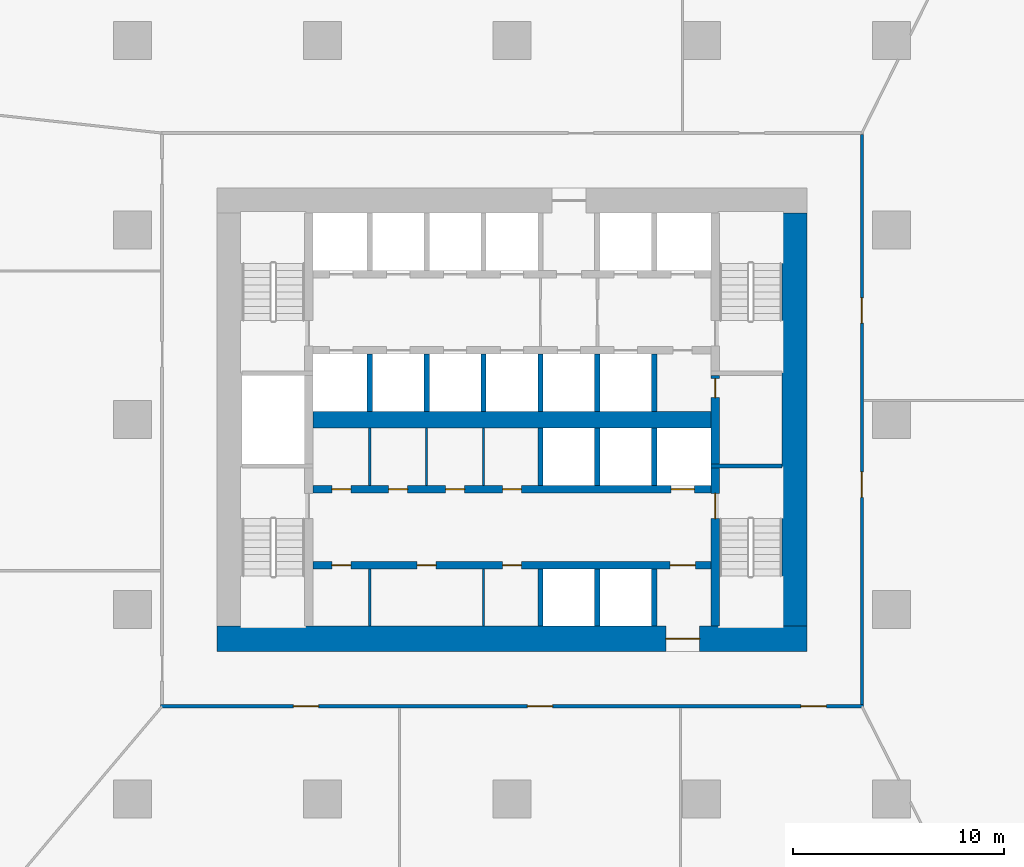
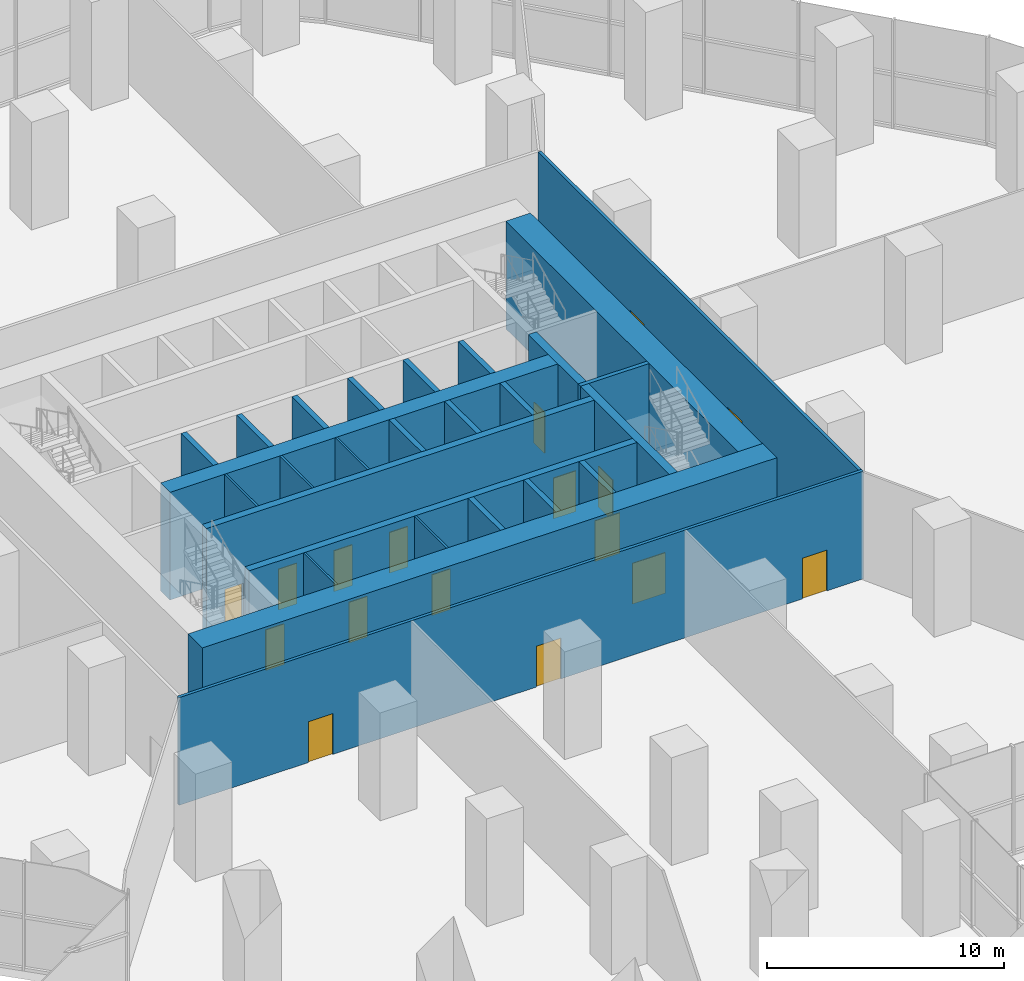
# One storey, part 11 of 15: 27 walls, 17 doors, 17 openings.
"""IFC4 building model written with IfcOpenShell, lengths in metres."""

from ifc_helpers import new_model, si_unit, direction, frame, frame_2d, origin, place, context, subcontext, project, spatial, rectangle, extrude, material, layer, layer_set, type_object, element, fill, save


model = new_model("IFC4")

# Units and contexts
model_context = context("Model", 3, precision=1e-05, world=origin(), true_north=direction((0.0, 1.0)))
body_context = subcontext(model_context, "Body", "Model", "MODEL_VIEW")
ifc_project = project(units=[si_unit("LENGTHUNIT", "METRE"), si_unit("AREAUNIT", "SQUARE_METRE"), si_unit("VOLUMEUNIT", "CUBIC_METRE"), si_unit("PLANEANGLEUNIT", "RADIAN"), si_unit("MASSUNIT", "GRAM", prefix="KILO")], contexts=[model_context])

# Site, building, storey
site_placement = place(None, origin())
site = spatial("IfcSite", under=ifc_project, at=site_placement, CompositionType="ELEMENT")
building_placement = place(site_placement, origin())
building = spatial("IfcBuilding", under=site, at=building_placement, Name="Dongbaek Canopy Tower", CompositionType="ELEMENT")
storey_placement = place(building_placement, frame((0.0, 0.0, 27.0)))
storey = spatial("IfcBuildingStorey", under=building, at=storey_placement, Name="L03", CompositionType="ELEMENT", Elevation=27.0)

# Wall
ifc_material_1 = material(Name="Concrete C60/75", Category="concrete")
ifc_layer_1 = layer(ifc_material_1, 0.800048828125)
ifc_layer_set_1 = layer_set([ifc_layer_1], Name="Core central wall 800 Concrete C60/75")
wall_type_1 = type_object("IfcWallType", Name="Core central wall 800 Concrete C60/75", PredefinedType="SHEAR", material=ifc_layer_set_1)
wall_1_placement = place(storey_placement, frame((-9.449951171875, 0.0, 0.0), z_axis=(0.0, 0.0, 1.0), x_axis=(1.0, 0.0, 0.0)))
element("IfcWall", 1, at=wall_1_placement, inside=storey, type_object=wall_type_1, Name="Core wall", PredefinedType="SHEAR", context=body_context, shape_type="SweptSolid", body=[
    extrude(rectangle(XDim=18.89990234375, YDim=0.800048828125, at=frame_2d((9.449951171875, 0.0))), origin(), (0.0, 0.0, 1.0), 5.550048828125),
])

# Wall, openings, doors
ifc_material_2 = material(Name="Concrete C60/75", Category="concrete")
ifc_layer_2 = layer(ifc_material_2, 0.35009765625)
ifc_layer_set_2 = layer_set([ifc_layer_2], Name="Core lobby wall 350 Concrete C60/75")
wall_type_2 = type_object("IfcWallType", Name="Core lobby wall 350 Concrete C60/75", PredefinedType="SHEAR", material=ifc_layer_set_2)
wall_2_placement = place(storey_placement, frame((-9.449951171875, -3.300048828125, 0.0), z_axis=(0.0, 0.0, 1.0), x_axis=(1.0, 0.0, 0.0)))
wall_2 = element("IfcWall", 2, at=wall_2_placement, inside=storey, type_object=wall_type_2, Name="Core wall", PredefinedType="SHEAR", context=body_context, shape_type="SweptSolid", body=[
    extrude(rectangle(XDim=18.89990234375, YDim=0.35009765625, at=frame_2d((9.449951171875, 0.0))), origin(), (0.0, 0.0, 1.0), 5.550048828125),
])
opening_1_placement = place(wall_2_placement, frame((17.0, 0.0, 0.0)))
opening_1 = element("IfcOpeningElement", 3, at=opening_1_placement, cuts=wall_2, Name="Opening L03-D027", PredefinedType="OPENING", context=body_context, shape_type="SweptSolid", body=[
    extrude(rectangle(XDim=1.10009765625, YDim=2.10009765625, at=frame_2d((0.550048828125, 1.050048828125))), frame((0.0, 0.18505859375, 0.0), z_axis=(0.0, -1.0, 0.0), x_axis=(1.0, 0.0, 0.0)), (0.0, 0.0, 1.0), 0.3701171875),
])
opening_2_placement = place(wall_2_placement, frame((0.89990234375, 0.0, 0.0)))
opening_2 = element("IfcOpeningElement", 4, at=opening_2_placement, cuts=wall_2, Name="Opening L03-D030", PredefinedType="OPENING", context=body_context, shape_type="SweptSolid", body=[
    extrude(rectangle(XDim=0.89990234375, YDim=2.10009765625, at=frame_2d((0.449951171875, 1.050048828125))), frame((0.0, 0.18505859375, 0.0), z_axis=(0.0, -1.0, 0.0), x_axis=(1.0, 0.0, 0.0)), (0.0, 0.0, 1.0), 0.3701171875),
])
opening_3_placement = place(wall_2_placement, frame((3.60009765625, 0.0, 0.0)))
opening_3 = element("IfcOpeningElement", 5, at=opening_3_placement, cuts=wall_2, Name="Opening L03-D031", PredefinedType="OPENING", context=body_context, shape_type="SweptSolid", body=[
    extrude(rectangle(XDim=0.89990234375, YDim=2.10009765625, at=frame_2d((0.449951171875, 1.050048828125))), frame((0.0, 0.18505859375, 0.0), z_axis=(0.0, -1.0, 0.0), x_axis=(1.0, 0.0, 0.0)), (0.0, 0.0, 1.0), 0.3701171875),
])
opening_4_placement = place(wall_2_placement, frame((6.300048828125, 0.0, 0.0)))
opening_4 = element("IfcOpeningElement", 6, at=opening_4_placement, cuts=wall_2, Name="Opening L03-D032", PredefinedType="OPENING", context=body_context, shape_type="SweptSolid", body=[
    extrude(rectangle(XDim=0.89990234375, YDim=2.10009765625, at=frame_2d((0.449951171875, 1.050048828125))), frame((0.0, 0.18505859375, 0.0), z_axis=(0.0, -1.0, 0.0), x_axis=(1.0, 0.0, 0.0)), (0.0, 0.0, 1.0), 0.3701171875),
])
opening_5_placement = place(wall_2_placement, frame((9.0, 0.0, 0.0)))
opening_5 = element("IfcOpeningElement", 7, at=opening_5_placement, cuts=wall_2, Name="Opening L03-D033", PredefinedType="OPENING", context=body_context, shape_type="SweptSolid", body=[
    extrude(rectangle(XDim=0.89990234375, YDim=2.10009765625, at=frame_2d((0.449951171875, 1.050048828125))), frame((0.0, 0.18505859375, 0.0), z_axis=(0.0, -1.0, 0.0), x_axis=(1.0, 0.0, 0.0)), (0.0, 0.0, 1.0), 0.3701171875),
])
ifc_material_3 = material(Name="Steel", Category="steel")
door_type_1 = type_object("IfcDoorType", Name="Core room door 900 x 2100", OperationType="SINGLE_SWING_LEFT", PredefinedType="DOOR", material=ifc_material_3)
door_1_placement = place(opening_2_placement, origin())
door_1 = element("IfcDoor", 8, at=door_1_placement, inside=storey, type_object=door_type_1, Name="Door L03-D030", OperationType="SINGLE_SWING_RIGHT", OverallHeight=2.10009765625, OverallWidth=0.89990234375, PredefinedType="DOOR", context=body_context, shape_type="SweptSolid", body=[
    extrude(rectangle(XDim=0.89990234375, YDim=2.10009765625, at=frame_2d((0.449951171875, 1.050048828125))), frame((0.0, 0.02490234375, 0.0), z_axis=(0.0, -1.0, 0.0), x_axis=(1.0, 0.0, 0.0)), (0.0, 0.0, 1.0), 0.050048828125),
])
fill(opening_2, door_1)
door_2_placement = place(opening_3_placement, origin())
door_2 = element("IfcDoor", 9, at=door_2_placement, inside=storey, type_object=door_type_1, Name="Door L03-D031", OperationType="SINGLE_SWING_LEFT", OverallHeight=2.10009765625, OverallWidth=0.89990234375, PredefinedType="DOOR", context=body_context, shape_type="SweptSolid", body=[
    extrude(rectangle(XDim=0.89990234375, YDim=2.10009765625, at=frame_2d((0.449951171875, 1.050048828125))), frame((0.0, 0.02490234375, 0.0), z_axis=(0.0, -1.0, 0.0), x_axis=(1.0, 0.0, 0.0)), (0.0, 0.0, 1.0), 0.050048828125),
])
fill(opening_3, door_2)
door_3_placement = place(opening_4_placement, origin())
door_3 = element("IfcDoor", 10, at=door_3_placement, inside=storey, type_object=door_type_1, Name="Door L03-D032", OperationType="SINGLE_SWING_RIGHT", OverallHeight=2.10009765625, OverallWidth=0.89990234375, PredefinedType="DOOR", context=body_context, shape_type="SweptSolid", body=[
    extrude(rectangle(XDim=0.89990234375, YDim=2.10009765625, at=frame_2d((0.449951171875, 1.050048828125))), frame((0.0, 0.02490234375, 0.0), z_axis=(0.0, -1.0, 0.0), x_axis=(1.0, 0.0, 0.0)), (0.0, 0.0, 1.0), 0.050048828125),
])
fill(opening_4, door_3)
door_4_placement = place(opening_5_placement, origin())
door_4 = element("IfcDoor", 11, at=door_4_placement, inside=storey, type_object=door_type_1, Name="Door L03-D033", OperationType="SINGLE_SWING_LEFT", OverallHeight=2.10009765625, OverallWidth=0.89990234375, PredefinedType="DOOR", context=body_context, shape_type="SweptSolid", body=[
    extrude(rectangle(XDim=0.89990234375, YDim=2.10009765625, at=frame_2d((0.449951171875, 1.050048828125))), frame((0.0, 0.02490234375, 0.0), z_axis=(0.0, -1.0, 0.0), x_axis=(1.0, 0.0, 0.0)), (0.0, 0.0, 1.0), 0.050048828125),
])
fill(opening_5, door_4)
ifc_material_4 = material(Name="Stainless steel", Category="steel")
door_type_2 = type_object("IfcDoorType", Name="Lift landing door 1100 x 2100", OperationType="DOUBLE_DOOR_SLIDING", PredefinedType="DOOR", material=ifc_material_4)
door_5_placement = place(opening_1_placement, origin())
door_5 = element("IfcDoor", 12, at=door_5_placement, inside=storey, type_object=door_type_2, Name="Landing door SV2", OperationType="DOUBLE_DOOR_SLIDING", OverallHeight=2.10009765625, OverallWidth=1.10009765625, PredefinedType="DOOR", context=body_context, shape_type="SweptSolid", body=[
    extrude(rectangle(XDim=1.10009765625, YDim=2.10009765625, at=frame_2d((0.550048828125, 1.050048828125))), frame((0.0, 0.02490234375, 0.0), z_axis=(0.0, -1.0, 0.0), x_axis=(1.0, 0.0, 0.0)), (0.0, 0.0, 1.0), 0.050048828125),
])
fill(opening_1, door_5)

wall_3_placement = place(storey_placement, frame((9.449951171875, -6.89990234375, 0.0), z_axis=(0.0, 0.0, 1.0), x_axis=(-1.0, 0.0, 0.0)))
wall_3 = element("IfcWall", 13, at=wall_3_placement, inside=storey, type_object=wall_type_2, Name="Core wall", PredefinedType="SHEAR", context=body_context, shape_type="SweptSolid", body=[
    extrude(rectangle(XDim=18.89990234375, YDim=0.35009765625, at=frame_2d((9.449951171875, 0.0))), origin(), (0.0, 0.0, 1.0), 5.550048828125),
])
opening_6_placement = place(wall_3_placement, frame((0.75, 0.0, 0.0)))
opening_6 = element("IfcOpeningElement", 14, at=opening_6_placement, cuts=wall_3, Name="Opening L03-D029", PredefinedType="OPENING", context=body_context, shape_type="SweptSolid", body=[
    extrude(rectangle(XDim=1.199951171875, YDim=2.10009765625, at=frame_2d((0.60009765625, 1.050048828125))), frame((0.0, 0.18505859375, 0.0), z_axis=(0.0, -1.0, 0.0), x_axis=(1.0, 0.0, 0.0)), (0.0, 0.0, 1.0), 0.3701171875),
])
opening_7_placement = place(wall_3_placement, frame((17.10009765625, 0.0, 0.0)))
opening_7 = element("IfcOpeningElement", 15, at=opening_7_placement, cuts=wall_3, Name="Opening L03-D034", PredefinedType="OPENING", context=body_context, shape_type="SweptSolid", body=[
    extrude(rectangle(XDim=0.89990234375, YDim=2.10009765625, at=frame_2d((0.449951171875, 1.050048828125))), frame((0.0, 0.18505859375, 0.0), z_axis=(0.0, -1.0, 0.0), x_axis=(1.0, 0.0, 0.0)), (0.0, 0.0, 1.0), 0.3701171875),
])
opening_8_placement = place(wall_3_placement, frame((13.050048828125, 0.0, 0.0)))
opening_8 = element("IfcOpeningElement", 16, at=opening_8_placement, cuts=wall_3, Name="Opening L03-D035", PredefinedType="OPENING", context=body_context, shape_type="SweptSolid", body=[
    extrude(rectangle(XDim=0.89990234375, YDim=2.10009765625, at=frame_2d((0.449951171875, 1.050048828125))), frame((0.0, 0.18505859375, 0.0), z_axis=(0.0, -1.0, 0.0), x_axis=(1.0, 0.0, 0.0)), (0.0, 0.0, 1.0), 0.3701171875),
])
opening_9_placement = place(wall_3_placement, frame((9.0, 0.0, 0.0)))
opening_9 = element("IfcOpeningElement", 17, at=opening_9_placement, cuts=wall_3, Name="Opening L03-D036", PredefinedType="OPENING", context=body_context, shape_type="SweptSolid", body=[
    extrude(rectangle(XDim=0.89990234375, YDim=2.10009765625, at=frame_2d((0.449951171875, 1.050048828125))), frame((0.0, 0.18505859375, 0.0), z_axis=(0.0, -1.0, 0.0), x_axis=(1.0, 0.0, 0.0)), (0.0, 0.0, 1.0), 0.3701171875),
])
door_6_placement = place(opening_7_placement, origin())
door_6 = element("IfcDoor", 18, at=door_6_placement, inside=storey, type_object=door_type_1, Name="Door L03-D034", OperationType="SINGLE_SWING_RIGHT", OverallHeight=2.10009765625, OverallWidth=0.89990234375, PredefinedType="DOOR", context=body_context, shape_type="SweptSolid", body=[
    extrude(rectangle(XDim=0.89990234375, YDim=2.10009765625, at=frame_2d((0.449951171875, 1.050048828125))), frame((0.0, 0.02490234375, 0.0), z_axis=(0.0, -1.0, 0.0), x_axis=(1.0, 0.0, 0.0)), (0.0, 0.0, 1.0), 0.050048828125),
])
fill(opening_7, door_6)
door_7_placement = place(opening_8_placement, origin())
door_7 = element("IfcDoor", 19, at=door_7_placement, inside=storey, type_object=door_type_1, Name="Door L03-D035", OperationType="SINGLE_SWING_LEFT", OverallHeight=2.10009765625, OverallWidth=0.89990234375, PredefinedType="DOOR", context=body_context, shape_type="SweptSolid", body=[
    extrude(rectangle(XDim=0.89990234375, YDim=2.10009765625, at=frame_2d((0.449951171875, 1.050048828125))), frame((0.0, 0.02490234375, 0.0), z_axis=(0.0, -1.0, 0.0), x_axis=(1.0, 0.0, 0.0)), (0.0, 0.0, 1.0), 0.050048828125),
])
fill(opening_8, door_7)
door_8_placement = place(opening_9_placement, origin())
door_8 = element("IfcDoor", 20, at=door_8_placement, inside=storey, type_object=door_type_1, Name="Door L03-D036", OperationType="SINGLE_SWING_RIGHT", OverallHeight=2.10009765625, OverallWidth=0.89990234375, PredefinedType="DOOR", context=body_context, shape_type="SweptSolid", body=[
    extrude(rectangle(XDim=0.89990234375, YDim=2.10009765625, at=frame_2d((0.449951171875, 1.050048828125))), frame((0.0, 0.02490234375, 0.0), z_axis=(0.0, -1.0, 0.0), x_axis=(1.0, 0.0, 0.0)), (0.0, 0.0, 1.0), 0.050048828125),
])
fill(opening_9, door_8)
ifc_material_5 = material(Name="Steel", Category="steel")
door_type_3 = type_object("IfcDoorType", Name="Fire lobby door 1200 x 2100", OperationType="SINGLE_SWING_LEFT", PredefinedType="DOOR", material=ifc_material_5)
door_9_placement = place(opening_6_placement, origin())
door_9 = element("IfcDoor", 21, at=door_9_placement, inside=storey, type_object=door_type_3, Name="Door L03-D029", OperationType="SINGLE_SWING_LEFT", OverallHeight=2.10009765625, OverallWidth=1.199951171875, PredefinedType="DOOR", context=body_context, shape_type="SweptSolid", body=[
    extrude(rectangle(XDim=1.199951171875, YDim=2.10009765625, at=frame_2d((0.60009765625, 1.050048828125))), frame((0.0, 0.02490234375, 0.0), z_axis=(0.0, -1.0, 0.0), x_axis=(1.0, 0.0, 0.0)), (0.0, 0.0, 1.0), 0.050048828125),
])
fill(opening_6, door_9)

# Wall, opening, door
ifc_material_6 = material(Name="Concrete C60/75", Category="concrete")
ifc_layer_3 = layer(ifc_material_6, 1.199951171875)
ifc_layer_set_3 = layer_set([ifc_layer_3], Name="Core outer wall 1200 Concrete C60/75")
wall_type_3 = type_object("IfcWallType", Name="Core outer wall 1200 Concrete C60/75", PredefinedType="SHEAR", material=ifc_layer_set_3)
wall_4_placement = place(storey_placement, frame((14.0, -10.39990234375, 0.0), z_axis=(0.0, 0.0, 1.0), x_axis=(-1.0, 0.0, 0.0)))
wall_4 = element("IfcWall", 22, at=wall_4_placement, inside=storey, type_object=wall_type_3, Name="Core wall", PredefinedType="SHEAR", context=body_context, shape_type="SweptSolid", body=[
    extrude(rectangle(XDim=28.0, YDim=1.199951171875, at=frame_2d((14.0, 0.0))), origin(), (0.0, 0.0, 1.0), 5.550048828125),
])
opening_10_placement = place(wall_4_placement, frame((5.10009765625, 0.0, 0.0)))
opening_10 = element("IfcOpeningElement", 23, at=opening_10_placement, cuts=wall_4, Name="Opening L03-D028", PredefinedType="OPENING", context=body_context, shape_type="SweptSolid", body=[
    extrude(rectangle(XDim=1.60009765625, YDim=2.10009765625, at=frame_2d((0.800048828125, 1.050048828125))), frame((0.0, 0.60986328125, 0.0), z_axis=(0.0, -1.0, 0.0), x_axis=(1.0, 0.0, 0.0)), (0.0, 0.0, 1.0), 1.219970703125),
])
ifc_material_7 = material(Name="Steel", Category="steel")
door_type_4 = type_object("IfcDoorType", Name="Core exit door 1600 x 2100", OperationType="DOUBLE_DOOR_SINGLE_SWING", PredefinedType="DOOR", material=ifc_material_7)
door_10_placement = place(opening_10_placement, origin())
door_10 = element("IfcDoor", 24, at=door_10_placement, inside=storey, type_object=door_type_4, Name="Core exit door", OperationType="DOUBLE_DOOR_SINGLE_SWING", OverallHeight=2.10009765625, OverallWidth=1.60009765625, PredefinedType="DOOR", context=body_context, shape_type="SweptSolid", body=[
    extrude(rectangle(XDim=1.60009765625, YDim=2.10009765625, at=frame_2d((0.800048828125, 1.050048828125))), frame((0.0, 0.02490234375, 0.0), z_axis=(0.0, -1.0, 0.0), x_axis=(1.0, 0.0, 0.0)), (0.0, 0.0, 1.0), 0.050048828125),
])
fill(opening_10, door_10)

# Wall
wall_5_placement = place(storey_placement, frame((13.39990234375, 9.800048828125, 0.0), z_axis=(0.0, 0.0, 1.0), x_axis=(0.0, -1.0, 0.0)))
element("IfcWall", 25, at=wall_5_placement, inside=storey, type_object=wall_type_3, Name="Core wall", PredefinedType="SHEAR", context=body_context, shape_type="SweptSolid", body=[
    extrude(rectangle(XDim=19.60009765625, YDim=1.199951171875, at=frame_2d((9.800048828125, 0.0))), origin(), (0.0, 0.0, 1.0), 5.550048828125),
])

# Wall, openings, doors
ifc_material_8 = material(Name="Gypsum board partition, steel stud, 2 x 15 mm fire board", Category="steel")
ifc_layer_4 = layer(ifc_material_8, 0.14990234375)
ifc_layer_set_4 = layer_set([ifc_layer_4], Name="Fire-rated partition 150 gypsum board")
wall_type_4 = type_object("IfcWallType", Name="Fire-rated partition 150 gypsum board", PredefinedType="PARTITIONING", material=ifc_layer_set_4)
wall_6_placement = place(storey_placement, frame((16.675048828125, -13.60009765625, 0.0), z_axis=(0.0, 0.0, 1.0), x_axis=(-1.0, 0.0, 0.0)))
wall_6 = element("IfcWall", 26, at=wall_6_placement, inside=storey, type_object=wall_type_4, Name="Corridor partition", PredefinedType="PARTITIONING", context=body_context, shape_type="SweptSolid", body=[
    extrude(rectangle(XDim=33.35009765625, YDim=0.14990234375, at=frame_2d((16.675048828125, 0.0))), origin(), (0.0, 0.0, 1.0), 5.550048828125),
])
opening_11_placement = place(wall_6_placement, frame((25.852783203125, 0.0, 0.0)))
opening_11 = element("IfcOpeningElement", 27, at=opening_11_placement, cuts=wall_6, Name="Opening L03-D003", PredefinedType="OPENING", context=body_context, shape_type="SweptSolid", body=[
    extrude(rectangle(XDim=1.199951171875, YDim=2.10009765625, at=frame_2d((0.60009765625, 1.050048828125))), frame((0.0, 0.0849609375, 0.0), z_axis=(0.0, -1.0, 0.0), x_axis=(1.0, 0.0, 0.0)), (0.0, 0.0, 1.0), 0.169921875),
])
opening_12_placement = place(wall_6_placement, frame((14.74169921875, 0.0, 0.0)))
opening_12 = element("IfcOpeningElement", 28, at=opening_12_placement, cuts=wall_6, Name="Opening L03-D004", PredefinedType="OPENING", context=body_context, shape_type="SweptSolid", body=[
    extrude(rectangle(XDim=1.199951171875, YDim=2.10009765625, at=frame_2d((0.60009765625, 1.050048828125))), frame((0.0, 0.0849609375, 0.0), z_axis=(0.0, -1.0, 0.0), x_axis=(1.0, 0.0, 0.0)), (0.0, 0.0, 1.0), 0.169921875),
])
opening_13_placement = place(wall_6_placement, frame((1.763671875, 0.0, 0.0)))
opening_13 = element("IfcOpeningElement", 29, at=opening_13_placement, cuts=wall_6, Name="Opening L03-D005", PredefinedType="OPENING", context=body_context, shape_type="SweptSolid", body=[
    extrude(rectangle(XDim=1.199951171875, YDim=2.10009765625, at=frame_2d((0.60009765625, 1.050048828125))), frame((0.0, 0.0849609375, 0.0), z_axis=(0.0, -1.0, 0.0), x_axis=(1.0, 0.0, 0.0)), (0.0, 0.0, 1.0), 0.169921875),
])
ifc_material_9 = material(Name="Timber veneered door leaf", Category="wood")
door_type_5 = type_object("IfcDoorType", Name="Room door 1200 x 2100", OperationType="SINGLE_SWING_LEFT", PredefinedType="DOOR", material=ifc_material_9)
door_11_placement = place(opening_11_placement, origin())
door_11 = element("IfcDoor", 30, at=door_11_placement, inside=storey, type_object=door_type_5, Name="Door L03-D003", OperationType="SINGLE_SWING_RIGHT", OverallHeight=2.10009765625, OverallWidth=1.199951171875, PredefinedType="DOOR", context=body_context, shape_type="SweptSolid", body=[
    extrude(rectangle(XDim=1.199951171875, YDim=2.10009765625, at=frame_2d((0.60009765625, 1.050048828125))), frame((0.0, 0.02490234375, 0.0), z_axis=(0.0, -1.0, 0.0), x_axis=(1.0, 0.0, 0.0)), (0.0, 0.0, 1.0), 0.050048828125),
])
fill(opening_11, door_11)
door_12_placement = place(opening_12_placement, origin())
door_12 = element("IfcDoor", 31, at=door_12_placement, inside=storey, type_object=door_type_5, Name="Door L03-D004", OperationType="SINGLE_SWING_LEFT", OverallHeight=2.10009765625, OverallWidth=1.199951171875, PredefinedType="DOOR", context=body_context, shape_type="SweptSolid", body=[
    extrude(rectangle(XDim=1.199951171875, YDim=2.10009765625, at=frame_2d((0.60009765625, 1.050048828125))), frame((0.0, 0.02490234375, 0.0), z_axis=(0.0, -1.0, 0.0), x_axis=(1.0, 0.0, 0.0)), (0.0, 0.0, 1.0), 0.050048828125),
])
fill(opening_12, door_12)
door_13_placement = place(opening_13_placement, origin())
door_13 = element("IfcDoor", 32, at=door_13_placement, inside=storey, type_object=door_type_5, Name="Door L03-D005", OperationType="SINGLE_SWING_RIGHT", OverallHeight=2.10009765625, OverallWidth=1.199951171875, PredefinedType="DOOR", context=body_context, shape_type="SweptSolid", body=[
    extrude(rectangle(XDim=1.199951171875, YDim=2.10009765625, at=frame_2d((0.60009765625, 1.050048828125))), frame((0.0, 0.02490234375, 0.0), z_axis=(0.0, -1.0, 0.0), x_axis=(1.0, 0.0, 0.0)), (0.0, 0.0, 1.0), 0.050048828125),
])
fill(opening_13, door_13)

wall_7_placement = place(storey_placement, frame((16.60009765625, 13.52490234375, 0.0), z_axis=(0.0, 0.0, 1.0), x_axis=(0.0, -1.0, 0.0)))
wall_7 = element("IfcWall", 33, at=wall_7_placement, inside=storey, type_object=wall_type_4, Name="Corridor partition", PredefinedType="PARTITIONING", context=body_context, shape_type="SweptSolid", body=[
    extrude(rectangle(XDim=27.0498046875, YDim=0.14990234375, at=frame_2d((13.52490234375, 0.0))), origin(), (0.0, 0.0, 1.0), 5.550048828125),
])
opening_14_placement = place(wall_7_placement, frame((16.005615234375, 0.0, 0.0)))
opening_14 = element("IfcOpeningElement", 34, at=opening_14_placement, cuts=wall_7, Name="Opening L03-D006", PredefinedType="OPENING", context=body_context, shape_type="SweptSolid", body=[
    extrude(rectangle(XDim=1.199951171875, YDim=2.10009765625, at=frame_2d((0.60009765625, 1.050048828125))), frame((0.0, 0.0849609375, 0.0), z_axis=(0.0, -1.0, 0.0), x_axis=(1.0, 0.0, 0.0)), (0.0, 0.0, 1.0), 0.169921875),
])
opening_15_placement = place(wall_7_placement, frame((7.745361328125, 0.0, 0.0)))
opening_15 = element("IfcOpeningElement", 35, at=opening_15_placement, cuts=wall_7, Name="Opening L03-D007", PredefinedType="OPENING", context=body_context, shape_type="SweptSolid", body=[
    extrude(rectangle(XDim=1.199951171875, YDim=2.10009765625, at=frame_2d((0.60009765625, 1.050048828125))), frame((0.0, 0.0849609375, 0.0), z_axis=(0.0, -1.0, 0.0), x_axis=(1.0, 0.0, 0.0)), (0.0, 0.0, 1.0), 0.169921875),
])
door_14_placement = place(opening_14_placement, origin())
door_14 = element("IfcDoor", 36, at=door_14_placement, inside=storey, type_object=door_type_5, Name="Door L03-D006", OperationType="SINGLE_SWING_LEFT", OverallHeight=2.10009765625, OverallWidth=1.199951171875, PredefinedType="DOOR", context=body_context, shape_type="SweptSolid", body=[
    extrude(rectangle(XDim=1.199951171875, YDim=2.10009765625, at=frame_2d((0.60009765625, 1.050048828125))), frame((0.0, 0.02490234375, 0.0), z_axis=(0.0, -1.0, 0.0), x_axis=(1.0, 0.0, 0.0)), (0.0, 0.0, 1.0), 0.050048828125),
])
fill(opening_14, door_14)
door_15_placement = place(opening_15_placement, origin())
door_15 = element("IfcDoor", 37, at=door_15_placement, inside=storey, type_object=door_type_5, Name="Door L03-D007", OperationType="SINGLE_SWING_RIGHT", OverallHeight=2.10009765625, OverallWidth=1.199951171875, PredefinedType="DOOR", context=body_context, shape_type="SweptSolid", body=[
    extrude(rectangle(XDim=1.199951171875, YDim=2.10009765625, at=frame_2d((0.60009765625, 1.050048828125))), frame((0.0, 0.02490234375, 0.0), z_axis=(0.0, -1.0, 0.0), x_axis=(1.0, 0.0, 0.0)), (0.0, 0.0, 1.0), 0.050048828125),
])
fill(opening_15, door_15)

# Walls
ifc_material_10 = material(Name="Concrete C40/50", Category="concrete")
ifc_layer_5 = layer(ifc_material_10, 0.25)
ifc_layer_set_5 = layer_set([ifc_layer_5], Name="Lift shaft wall 250 Concrete C40/50")
wall_type_5 = type_object("IfcWallType", Name="Lift shaft wall 250 Concrete C40/50", PredefinedType="SOLIDWALL", material=ifc_layer_set_5)
for number, where, z_axis, x_axis, name in (
    (38, (6.75, -9.800048828125, 0.0), (0.0, 0.0, 1.0), (0.0, 1.0, 0.0), "Lift shaft wall"),
    (39, (6.75, -3.125, 0.0), (0.0, 0.0, 1.0), (0.0, 1.0, 0.0), "Lift shaft wall"),
    (40, (6.75, 0.39990234375, 0.0), (0.0, 0.0, 1.0), (0.0, 1.0, 0.0), "Lift shaft wall"),
    (41, (4.050048828125, -9.800048828125, 0.0), (0.0, 0.0, 1.0), (0.0, 1.0, 0.0), "Lift shaft wall"),
    (42, (4.050048828125, -3.125, 0.0), (0.0, 0.0, 1.0), (0.0, 1.0, 0.0), "Lift shaft wall"),
    (43, (4.050048828125, 0.39990234375, 0.0), (0.0, 0.0, 1.0), (0.0, 1.0, 0.0), "Lift shaft wall"),
    (44, (1.35009765625, -9.800048828125, 0.0), (0.0, 0.0, 1.0), (0.0, 1.0, 0.0), "Lift shaft wall"),
    (45, (1.35009765625, -3.125, 0.0), (0.0, 0.0, 1.0), (0.0, 1.0, 0.0), "Lift shaft wall"),
    (46, (1.35009765625, 0.39990234375, 0.0), (0.0, 0.0, 1.0), (0.0, 1.0, 0.0), "Lift shaft wall"),
    (47, (-1.35009765625, 0.39990234375, 0.0), (0.0, 0.0, 1.0), (0.0, 1.0, 0.0), "Lift shaft wall"),
    (48, (-4.050048828125, 0.39990234375, 0.0), (0.0, 0.0, 1.0), (0.0, 1.0, 0.0), "Lift shaft wall"),
    (49, (-6.75, 0.39990234375, 0.0), (0.0, 0.0, 1.0), (0.0, 1.0, 0.0), "Lift shaft wall"),
):
    element("IfcWall", number, at=place(storey_placement, frame(where, z_axis=z_axis, x_axis=x_axis)), inside=storey, type_object=wall_type_5, Name=name, PredefinedType="SOLIDWALL", context=body_context, shape_type="SweptSolid", body=[
        extrude(rectangle(XDim=2.72509765625, YDim=0.25, at=frame_2d((1.362548828125, 0.0))), origin(), (0.0, 0.0, 1.0), 5.550048828125),
    ])
ifc_material_11 = material(Name="Gypsum board partition, steel stud, 2 x 12.5 mm board", Category="steel")
ifc_layer_6 = layer(ifc_material_11, 0.10009765625)
ifc_layer_set_6 = layer_set([ifc_layer_6], Name="Partition 100 gypsum board")
wall_type_6 = type_object("IfcWallType", Name="Partition 100 gypsum board", PredefinedType="PARTITIONING", material=ifc_layer_set_6)
for number, where, z_axis, x_axis, name in (
    (50, (-1.35009765625, -9.800048828125, 0.0), (0.0, 0.0, 1.0), (0.0, 1.0, 0.0), "Core partition"),
    (51, (-1.35009765625, -3.125, 0.0), (0.0, 0.0, 1.0), (0.0, 1.0, 0.0), "Core partition"),
    (52, (-4.050048828125, -3.125, 0.0), (0.0, 0.0, 1.0), (0.0, 1.0, 0.0), "Core partition"),
    (53, (-6.75, -9.800048828125, 0.0), (0.0, 0.0, 1.0), (0.0, 1.0, 0.0), "Core partition"),
    (54, (-6.75, -3.125, 0.0), (0.0, 0.0, 1.0), (0.0, 1.0, 0.0), "Core partition"),
):
    element("IfcWall", number, at=place(storey_placement, frame(where, z_axis=z_axis, x_axis=x_axis)), inside=storey, type_object=wall_type_6, Name=name, PredefinedType="PARTITIONING", context=body_context, shape_type="SweptSolid", body=[
        extrude(rectangle(XDim=2.72509765625, YDim=0.10009765625, at=frame_2d((1.362548828125, 0.0))), origin(), (0.0, 0.0, 1.0), 5.550048828125),
    ])
ifc_material_12 = material(Name="Concrete C60/75", Category="concrete")
ifc_layer_7 = layer(ifc_material_12, 0.199951171875)
ifc_layer_set_7 = layer_set([ifc_layer_7], Name="Riser wall 200 Concrete C60/75")
wall_type_7 = type_object("IfcWallType", Name="Riser wall 200 Concrete C60/75", PredefinedType="SHEAR", material=ifc_layer_set_7)
wall_8_placement = place(storey_placement, frame((9.449951171875, -2.199951171875, 0.0), z_axis=(0.0, 0.0, 1.0), x_axis=(1.0, 0.0, 0.0)))
element("IfcWall", 55, at=wall_8_placement, inside=storey, type_object=wall_type_7, Name="Riser wall", PredefinedType="SHEAR", context=body_context, shape_type="SweptSolid", body=[
    extrude(rectangle(XDim=3.35009765625, YDim=0.199951171875, at=frame_2d((1.675048828125, 0.0))), origin(), (0.0, 0.0, 1.0), 5.550048828125),
])

# Wall, opening, door
ifc_material_13 = material(Name="Concrete C60/75", Category="concrete")
ifc_layer_8 = layer(ifc_material_13, 0.39990234375)
ifc_layer_set_8 = layer_set([ifc_layer_8], Name="Stair wall 400 Concrete C60/75")
wall_type_8 = type_object("IfcWallType", Name="Stair wall 400 Concrete C60/75", PredefinedType="SHEAR", material=ifc_layer_set_8)
wall_9_placement = place(storey_placement, frame((9.64990234375, -2.300048828125, 0.0), z_axis=(0.0, 0.0, 1.0), x_axis=(0.0, -1.0, 0.0)))
wall_9 = element("IfcWall", 56, at=wall_9_placement, inside=storey, type_object=wall_type_8, Name="Stair wall", PredefinedType="SHEAR", context=body_context, shape_type="SweptSolid", body=[
    extrude(rectangle(XDim=7.5, YDim=0.39990234375, at=frame_2d((3.75, 0.0))), origin(), (0.0, 0.0, 1.0), 5.550048828125),
])
opening_16_placement = place(wall_9_placement, frame((1.199951171875, 0.0, 0.0)))
opening_16 = element("IfcOpeningElement", 57, at=opening_16_placement, cuts=wall_9, Name="Opening L03-D039", PredefinedType="OPENING", context=body_context, shape_type="SweptSolid", body=[
    extrude(rectangle(XDim=1.199951171875, YDim=2.10009765625, at=frame_2d((0.60009765625, 1.050048828125))), frame((0.0, 0.2099609375, 0.0), z_axis=(0.0, -1.0, 0.0), x_axis=(1.0, 0.0, 0.0)), (0.0, 0.0, 1.0), 0.419921875),
])
ifc_material_14 = material(Name="Steel", Category="steel")
door_type_6 = type_object("IfcDoorType", Name="Stair door 1200 x 2100", OperationType="SINGLE_SWING_LEFT", PredefinedType="DOOR", material=ifc_material_14)
door_16_placement = place(opening_16_placement, origin())
door_16 = element("IfcDoor", 58, at=door_16_placement, inside=storey, type_object=door_type_6, Name="Stair B door", OperationType="SINGLE_SWING_RIGHT", OverallHeight=2.10009765625, OverallWidth=1.199951171875, PredefinedType="DOOR", context=body_context, shape_type="SweptSolid", body=[
    extrude(rectangle(XDim=1.199951171875, YDim=2.10009765625, at=frame_2d((0.60009765625, 1.050048828125))), frame((0.0, 0.02490234375, 0.0), z_axis=(0.0, -1.0, 0.0), x_axis=(1.0, 0.0, 0.0)), (0.0, 0.0, 1.0), 0.050048828125),
])
fill(opening_16, door_16)

wall_10_placement = place(storey_placement, frame((9.64990234375, 2.10009765625, 0.0), z_axis=(0.0, 0.0, 1.0), x_axis=(0.0, -1.0, 0.0)))
wall_10 = element("IfcWall", 59, at=wall_10_placement, inside=storey, type_object=wall_type_8, Name="Stair wall", PredefinedType="SHEAR", context=body_context, shape_type="SweptSolid", body=[
    extrude(rectangle(XDim=4.2001953125, YDim=0.39990234375, at=frame_2d((2.10009765625, 0.0))), origin(), (0.0, 0.0, 1.0), 5.550048828125),
])
opening_17_placement = place(wall_10_placement, frame((0.14990234375, 0.0, 0.0)))
opening_17 = element("IfcOpeningElement", 60, at=opening_17_placement, cuts=wall_10, Name="Opening L03-D011", PredefinedType="OPENING", context=body_context, shape_type="SweptSolid", body=[
    extrude(rectangle(XDim=0.89990234375, YDim=2.10009765625, at=frame_2d((0.449951171875, 1.050048828125))), frame((0.0, 0.2099609375, 0.0), z_axis=(0.0, -1.0, 0.0), x_axis=(1.0, 0.0, 0.0)), (0.0, 0.0, 1.0), 0.419921875),
])
door_17_placement = place(opening_17_placement, origin())
door_17 = element("IfcDoor", 61, at=door_17_placement, inside=storey, type_object=door_type_1, Name="Door L03-D011", OperationType="SINGLE_SWING_RIGHT", OverallHeight=2.10009765625, OverallWidth=0.89990234375, PredefinedType="DOOR", context=body_context, shape_type="SweptSolid", body=[
    extrude(rectangle(XDim=0.89990234375, YDim=2.10009765625, at=frame_2d((0.449951171875, 1.050048828125))), frame((0.0, 0.02490234375, 0.0), z_axis=(0.0, -1.0, 0.0), x_axis=(1.0, 0.0, 0.0)), (0.0, 0.0, 1.0), 0.050048828125),
])
fill(opening_17, door_17)

save(model, "model.ifc")
